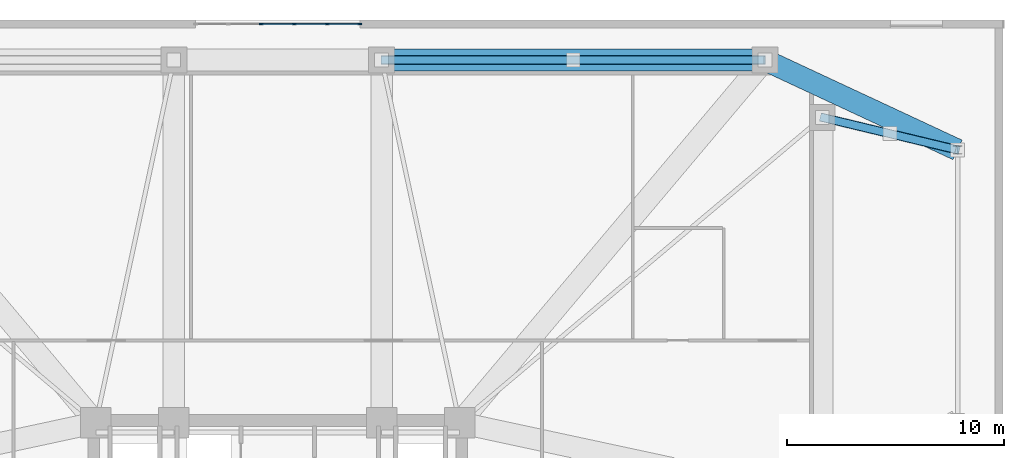
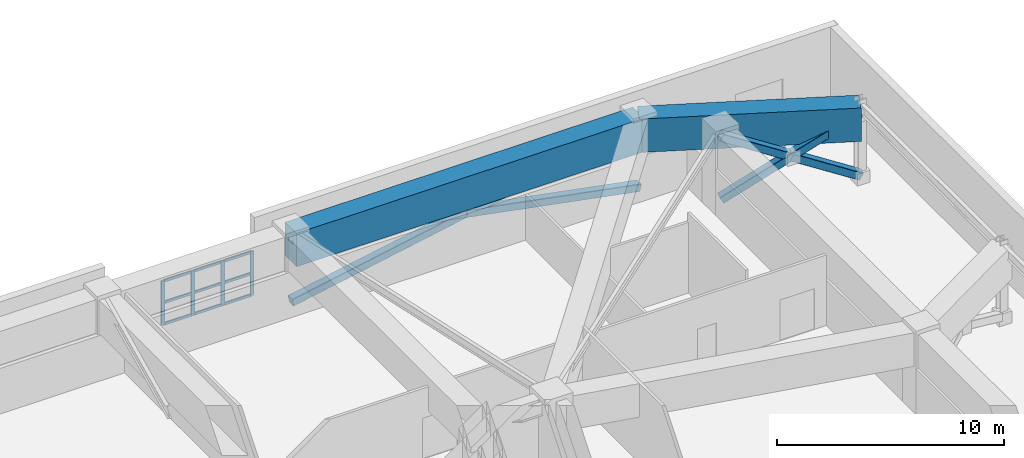
# One storey, part 9 of 19: 19 members, 2 beams, 1 element without a shape of its own.
"""IFC4 building model written with IfcOpenShell, lengths in metres."""

from ifc_helpers import new_model, si_unit, direction, frame, origin, origin_2d, place, context, subcontext, project, spatial, rectangle, hollow_rectangle, extrude, material, layer, layer_set, material_profile, profile_set, type_object, element, aggregate, save


model = new_model("IFC4")

# Units and contexts
model_context = context("Model", 3, precision=1e-05, world=origin(), true_north=direction((0.0, 1.0)))
body_context = subcontext(model_context, "Body", "Model", "MODEL_VIEW")
ifc_project = project(units=[si_unit("LENGTHUNIT", "METRE"), si_unit("AREAUNIT", "SQUARE_METRE"), si_unit("VOLUMEUNIT", "CUBIC_METRE"), si_unit("PLANEANGLEUNIT", "RADIAN"), si_unit("MASSUNIT", "GRAM", prefix="KILO")], contexts=[model_context])

# Site, building, storey
site_placement = place(None, origin())
site = spatial("IfcSite", under=ifc_project, at=site_placement, CompositionType="ELEMENT")
building_placement = place(site_placement, origin())
building = spatial("IfcBuilding", under=site, at=building_placement, Name="Cairnveth Concourse Tower", CompositionType="ELEMENT")
storey_placement = place(building_placement, frame((0.0, 0.0, 19.0)))
storey = spatial("IfcBuildingStorey", under=building, at=storey_placement, Name="L04", CompositionType="ELEMENT", Elevation=19.0)

# Curtain wall, members
ifc_material_1 = material(Name="Architectural Bronze Anodised Aluminium 6063-T6", Category="aluminium")
ifc_layer = layer(ifc_material_1, 0.340087890625)
ifc_layer_set = layer_set([ifc_layer], Name="Architectural Bronze Anodised Aluminium 6063-T6")
curtain_wall_type = type_object("IfcCurtainWallType", Name="BALLROOM FOYER UNITISED CURTAIN WALL", PredefinedType="USERDEFINED", material=ifc_layer_set)
curtain_wall_placement = place(storey_placement, origin())
curtain_wall = element("IfcCurtainWall", 1, at=curtain_wall_placement, inside=storey, type_object=curtain_wall_type, Name="Curtain Wall CW-L04-N1", ObjectType="UNITISED FACADE", PredefinedType="USERDEFINED")
ifc_material_profile_1 = material_profile(ifc_material_1, rectangle(XDim=0.06494140625, YDim=0.179931640625, at=origin_2d()), Name="AL-MUL-65x180")
ifc_profile_set_1 = profile_set([ifc_material_profile_1], Name="Architectural Bronze Anodised Aluminium 6063-T6")
member_type_1 = type_object("IfcMemberType", Name="BRONZE CURTAIN WALL MULLION AL-MUL-65x180", PredefinedType="MULLION", material=ifc_profile_set_1)
member_1_placement = place(storey_placement, frame((51.237060546875, 65.81005859375, 0.0), z_axis=(0.0, 0.0, 1.0), x_axis=(0.0, 1.0, 0.0)))
member_1 = element("IfcMember", 2, at=member_1_placement, type_object=member_type_1, Name="CWS3 mullion 3", PredefinedType="MULLION", context=body_context, shape_type="SweptSolid", body=[
    extrude(rectangle(XDim=0.06494140625, YDim=0.179931640625, at=origin_2d()), origin(), (0.0, 0.0, 1.0), 2.3798828125),
])
member_2_placement = place(storey_placement, frame((52.762939453125, 65.81005859375, 0.0), z_axis=(0.0, 0.0, 1.0), x_axis=(0.0, 1.0, 0.0)))
member_2 = element("IfcMember", 3, at=member_2_placement, type_object=member_type_1, Name="CWS3 mullion 4", PredefinedType="MULLION", context=body_context, shape_type="SweptSolid", body=[
    extrude(rectangle(XDim=0.06494140625, YDim=0.179931640625, at=origin_2d()), origin(), (0.0, 0.0, 1.0), 2.3798828125),
])
member_3_placement = place(storey_placement, frame((54.2890625, 65.81005859375, 0.0), z_axis=(0.0, 0.0, 1.0), x_axis=(0.0, 1.0, 0.0)))
member_3 = element("IfcMember", 4, at=member_3_placement, type_object=member_type_1, Name="CWS3 mullion 5", PredefinedType="MULLION", context=body_context, shape_type="SweptSolid", body=[
    extrude(rectangle(XDim=0.06494140625, YDim=0.179931640625, at=origin_2d()), origin(), (0.0, 0.0, 1.0), 2.3798828125),
])
member_4_placement = place(storey_placement, frame((55.782470703125, 65.81005859375, 0.0), z_axis=(0.0, 0.0, 1.0), x_axis=(0.0, 1.0, 0.0)))
member_4 = element("IfcMember", 5, at=member_4_placement, type_object=member_type_1, Name="CWS3 mullion 6", PredefinedType="MULLION", context=body_context, shape_type="SweptSolid", body=[
    extrude(rectangle(XDim=0.06494140625, YDim=0.179931640625, at=origin_2d()), origin(), (0.0, 0.0, 1.0), 2.3798828125),
])
ifc_material_profile_2 = material_profile(ifc_material_1, rectangle(XDim=0.06494140625, YDim=0.139892578125, at=origin_2d()), Name="AL-TRN-65x140")
ifc_profile_set_2 = profile_set([ifc_material_profile_2], Name="Architectural Bronze Anodised Aluminium 6063-T6")
member_type_2 = type_object("IfcMemberType", Name="BRONZE CURTAIN WALL TRANSOM AL-TRN-65x140", PredefinedType="USERDEFINED", material=ifc_profile_set_2)
member_5_placement = place(storey_placement, frame((51.26953125, 65.81005859375, 0.032470703125), z_axis=(1.0, 0.0, 0.0), x_axis=(0.0, 1.0, 0.0)))
member_5 = element("IfcMember", 6, at=member_5_placement, type_object=member_type_2, Name="CWS3 transom 3.1", ObjectType="TRANSOM", PredefinedType="USERDEFINED", context=body_context, shape_type="SweptSolid", body=[
    extrude(rectangle(XDim=0.06494140625, YDim=0.139892578125, at=origin_2d()), origin(), (0.0, 0.0, 1.0), 1.4609375),
])
member_6_placement = place(storey_placement, frame((51.26953125, 65.81005859375, 1.18994140625), z_axis=(1.0, 0.0, 0.0), x_axis=(0.0, 1.0, 0.0)))
member_6 = element("IfcMember", 7, at=member_6_placement, type_object=member_type_2, Name="CWS3 transom 3.2", ObjectType="TRANSOM", PredefinedType="USERDEFINED", context=body_context, shape_type="SweptSolid", body=[
    extrude(rectangle(XDim=0.06494140625, YDim=0.139892578125, at=origin_2d()), origin(), (0.0, 0.0, 1.0), 1.4609375),
])
member_7_placement = place(storey_placement, frame((51.26953125, 65.81005859375, 2.347412109375), z_axis=(1.0, 0.0, 0.0), x_axis=(0.0, 1.0, 0.0)))
member_7 = element("IfcMember", 8, at=member_7_placement, type_object=member_type_2, Name="CWS3 transom 3.3", ObjectType="TRANSOM", PredefinedType="USERDEFINED", context=body_context, shape_type="SweptSolid", body=[
    extrude(rectangle(XDim=0.06494140625, YDim=0.139892578125, at=origin_2d()), origin(), (0.0, 0.0, 1.0), 1.4609375),
])
member_8_placement = place(storey_placement, frame((52.79541015625, 65.81005859375, 0.032470703125), z_axis=(1.0, 0.0, 0.0), x_axis=(0.0, 1.0, 0.0)))
member_8 = element("IfcMember", 9, at=member_8_placement, type_object=member_type_2, Name="CWS3 transom 4.1", ObjectType="TRANSOM", PredefinedType="USERDEFINED", context=body_context, shape_type="SweptSolid", body=[
    extrude(rectangle(XDim=0.06494140625, YDim=0.139892578125, at=origin_2d()), origin(), (0.0, 0.0, 1.0), 1.461181640625),
])
member_9_placement = place(storey_placement, frame((52.79541015625, 65.81005859375, 1.18994140625), z_axis=(1.0, 0.0, 0.0), x_axis=(0.0, 1.0, 0.0)))
member_9 = element("IfcMember", 10, at=member_9_placement, type_object=member_type_2, Name="CWS3 transom 4.2", ObjectType="TRANSOM", PredefinedType="USERDEFINED", context=body_context, shape_type="SweptSolid", body=[
    extrude(rectangle(XDim=0.06494140625, YDim=0.139892578125, at=origin_2d()), origin(), (0.0, 0.0, 1.0), 1.461181640625),
])
member_10_placement = place(storey_placement, frame((52.79541015625, 65.81005859375, 2.347412109375), z_axis=(1.0, 0.0, 0.0), x_axis=(0.0, 1.0, 0.0)))
member_10 = element("IfcMember", 11, at=member_10_placement, type_object=member_type_2, Name="CWS3 transom 4.3", ObjectType="TRANSOM", PredefinedType="USERDEFINED", context=body_context, shape_type="SweptSolid", body=[
    extrude(rectangle(XDim=0.06494140625, YDim=0.139892578125, at=origin_2d()), origin(), (0.0, 0.0, 1.0), 1.461181640625),
])
member_11_placement = place(storey_placement, frame((54.321533203125, 65.81005859375, 0.032470703125), z_axis=(1.0, 0.0, 0.0), x_axis=(0.0, 1.0, 0.0)))
member_11 = element("IfcMember", 12, at=member_11_placement, type_object=member_type_2, Name="CWS3 transom 5.1", ObjectType="TRANSOM", PredefinedType="USERDEFINED", context=body_context, shape_type="SweptSolid", body=[
    extrude(rectangle(XDim=0.06494140625, YDim=0.139892578125, at=origin_2d()), origin(), (0.0, 0.0, 1.0), 1.428466796875),
])
member_12_placement = place(storey_placement, frame((54.321533203125, 65.81005859375, 1.18994140625), z_axis=(1.0, 0.0, 0.0), x_axis=(0.0, 1.0, 0.0)))
member_12 = element("IfcMember", 13, at=member_12_placement, type_object=member_type_2, Name="CWS3 transom 5.2", ObjectType="TRANSOM", PredefinedType="USERDEFINED", context=body_context, shape_type="SweptSolid", body=[
    extrude(rectangle(XDim=0.06494140625, YDim=0.139892578125, at=origin_2d()), origin(), (0.0, 0.0, 1.0), 1.428466796875),
])
member_13_placement = place(storey_placement, frame((54.321533203125, 65.81005859375, 2.347412109375), z_axis=(1.0, 0.0, 0.0), x_axis=(0.0, 1.0, 0.0)))
member_13 = element("IfcMember", 14, at=member_13_placement, type_object=member_type_2, Name="CWS3 transom 5.3", ObjectType="TRANSOM", PredefinedType="USERDEFINED", context=body_context, shape_type="SweptSolid", body=[
    extrude(rectangle(XDim=0.06494140625, YDim=0.139892578125, at=origin_2d()), origin(), (0.0, 0.0, 1.0), 1.428466796875),
])
aggregate(curtain_wall, [member_1, member_2, member_3, member_4, member_5, member_6, member_7, member_8, member_9, member_10, member_11, member_12, member_13])

# Beams
ifc_material_2 = material(Name="Concrete N65 (65 MPa)", Category="concrete")
ifc_material_profile_3 = material_profile(ifc_material_2, rectangle(XDim=1.0, YDim=1.800048828125, at=origin_2d()), Name="RC-TB-1000x1800")
ifc_profile_set_3 = profile_set([ifc_material_profile_3], Name="Concrete N65 (65 MPa)")
beam_type = type_object("IfcBeamType", Name="CONCRETE TRANSFER GIRDER 1000X1800", PredefinedType="BEAM", material=ifc_profile_set_3)
beam_1_placement = place(storey_placement, frame((74.5, 64.14990234375, 3.3798828125), z_axis=(0.906315208572, -0.422602345842, 0.0), x_axis=(0.422602345842, 0.906315208572, 0.0)))
element("IfcBeam", 15, at=beam_1_placement, inside=storey, type_object=beam_type, Name="Beam PG-E-N L04", PredefinedType="BEAM", context=body_context, shape_type="SweptSolid", body=[
    extrude(rectangle(XDim=1.0, YDim=1.800048828125, at=origin_2d()), origin(), (0.0, 0.0, 1.0), 9.81982421875),
])
beam_2_placement = place(storey_placement, frame((56.800048828125, 64.14990234375, 3.3798828125), z_axis=(1.0, 0.0, 0.0), x_axis=(0.0, 1.0, 0.0)))
element("IfcBeam", 16, at=beam_2_placement, inside=storey, type_object=beam_type, Name="Beam PR-N3 L04", PredefinedType="BEAM", context=body_context, shape_type="SweptSolid", body=[
    extrude(rectangle(XDim=1.0, YDim=1.800048828125, at=origin_2d()), origin(), (0.0, 0.0, 1.0), 17.699951171875),
])

# Members
ifc_material_3 = material(Name="Steel C350L0 (350 MPa)", Category="steel")
ifc_material_profile_4 = material_profile(ifc_material_3, hollow_rectangle(XDim=0.39990234375, YDim=0.39990234375, WallThickness=0.01611328125, InnerFilletRadius=0.01611328125, OuterFilletRadius=0.031982421875, at=origin_2d()), Name="400x400x16.0SHS")
ifc_profile_set_4 = profile_set([ifc_material_profile_4], Name="Steel C350L0 (350 MPa)")
member_type_3 = type_object("IfcMemberType", Name="PODIUM TRANSFER BRACE 400X400X16SHS", PredefinedType="BRACE", material=ifc_profile_set_4)
member_14_placement = place(storey_placement, frame((77.14990234375, 61.5, 0.35009765625), z_axis=(0.860648825687, -0.206555718165, 0.465422747766), x_axis=(0.233372952475, 0.972387301981, 0.0)))
element("IfcMember", 17, at=member_14_placement, inside=storey, type_object=member_type_3, Name="Structural Brace PTR-TE4A L04", PredefinedType="BRACE", context=body_context, shape_type="SweptSolid", body=[
    extrude(hollow_rectangle(XDim=0.39990234375, YDim=0.39990234375, WallThickness=0.01611328125, InnerFilletRadius=0.01611328125, OuterFilletRadius=0.031982421875, at=origin_2d()), origin(), (0.0, 0.0, 1.0), 7.261962890625),
])
member_15_placement = place(storey_placement, frame((83.39990234375, 60.0, 0.35009765625), z_axis=(-0.860661343719, 0.206539817246, 0.465406655861), x_axis=(-0.233352756207, -0.972392148863, 0.0)))
element("IfcMember", 18, at=member_15_placement, inside=storey, type_object=member_type_3, Name="Structural Brace PTR-TE4B1 L04", PredefinedType="BRACE", context=body_context, shape_type="SweptSolid", body=[
    extrude(hollow_rectangle(XDim=0.39990234375, YDim=0.39990234375, WallThickness=0.01611328125, InnerFilletRadius=0.01611328125, OuterFilletRadius=0.031982421875, at=origin_2d()), origin(), (0.0, 0.0, 1.0), 3.615966796875),
])
member_16_placement = place(storey_placement, frame((80.26220703125, 60.753173828125, 2.047119140625), z_axis=(-0.86067884724, 0.206527815634, 0.465379612019), x_axis=(-0.233335447822, -0.972396302332, 0.0)))
element("IfcMember", 19, at=member_16_placement, inside=storey, type_object=member_type_3, Name="Structural Brace PTR-TE4B2 L04", PredefinedType="BRACE", context=body_context, shape_type="SweptSolid", body=[
    extrude(hollow_rectangle(XDim=0.39990234375, YDim=0.39990234375, WallThickness=0.01611328125, InnerFilletRadius=0.01611328125, OuterFilletRadius=0.031982421875, at=origin_2d()), origin(), (0.0, 0.0, 1.0), 3.6162109375),
])
member_17_placement = place(storey_placement, frame((56.800048828125, 64.14990234375, 0.35009765625), z_axis=(0.982252130991, 0.0, 0.187565325059), x_axis=(0.0, 1.0, 0.0)))
element("IfcMember", 20, at=member_17_placement, inside=storey, type_object=member_type_3, Name="Structural Brace PTR-TN2A L04", PredefinedType="BRACE", context=body_context, shape_type="SweptSolid", body=[
    extrude(hollow_rectangle(XDim=0.39990234375, YDim=0.39990234375, WallThickness=0.01611328125, InnerFilletRadius=0.01611328125, OuterFilletRadius=0.031982421875, at=origin_2d()), origin(), (0.0, 0.0, 1.0), 18.019775390625),
])
for number, where, z_axis, x_axis, name in (
    (21, (74.5, 64.14990234375, 0.35009765625), (-0.9822543675, 0.0, 0.187553612408), (0.0, -1.0, 0.0), "Structural Brace PTR-TN2B1 L04"),
    (22, (65.63525390625, 64.14990234375, 2.042724609375), (-0.982249366868, 0.0, 0.187579799785), (0.0, -1.0, 0.0), "Structural Brace PTR-TN2B2 L04"),
):
    element("IfcMember", number, at=place(storey_placement, frame(where, z_axis=z_axis, x_axis=x_axis)), inside=storey, type_object=member_type_3, Name=name, PredefinedType="BRACE", context=body_context, shape_type="SweptSolid", body=[
        extrude(hollow_rectangle(XDim=0.39990234375, YDim=0.39990234375, WallThickness=0.01611328125, InnerFilletRadius=0.01611328125, OuterFilletRadius=0.031982421875, at=origin_2d()), origin(), (0.0, 0.0, 1.0), 8.994873046875),
    ])

save(model, "model.ifc")
